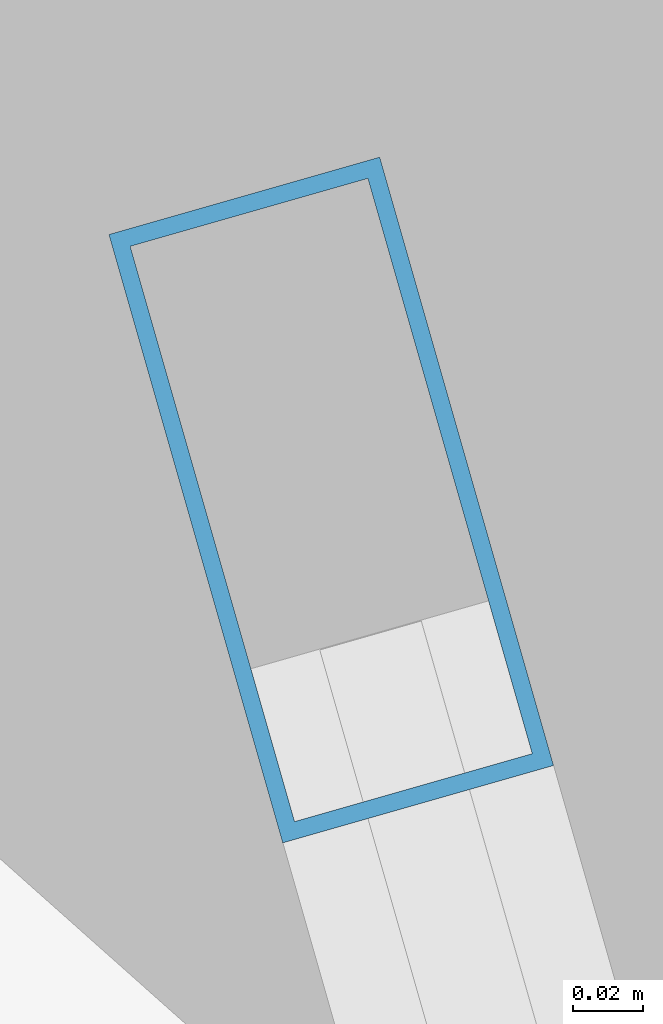
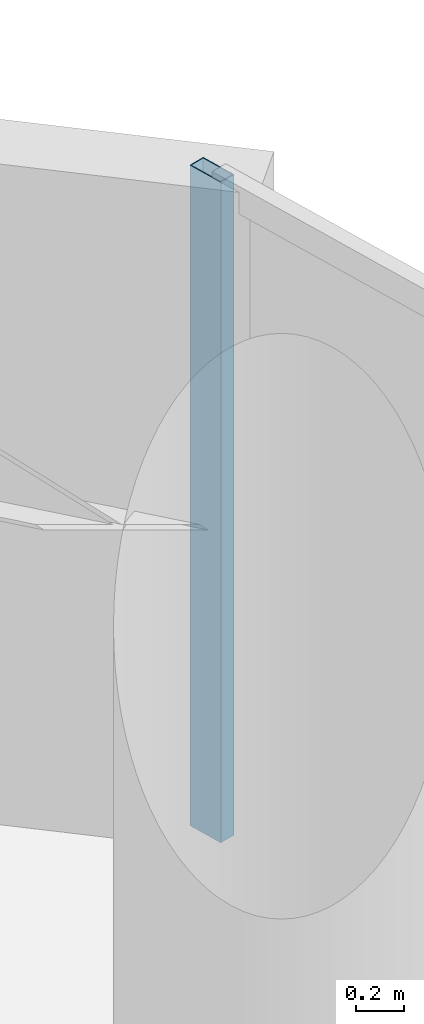
# One storey, part 21 of 31: 1 member, 1 element without a shape of its own.
"""IFC4 building model written with IfcOpenShell, lengths in metres."""

from ifc_helpers import new_model, si_unit, direction, frame, origin, origin_2d, place, context, subcontext, project, spatial, hollow_rectangle, extrude, material, layer, layer_set, material_profile, profile_set, type_object, element, aggregate, save


model = new_model("IFC4")

# Units and contexts
model_context = context("Model", 3, precision=1e-05, world=origin(), true_north=direction((0.0, 1.0)))
body_context = subcontext(model_context, "Body", "Model", "MODEL_VIEW")
ifc_project = project(units=[si_unit("LENGTHUNIT", "METRE"), si_unit("AREAUNIT", "SQUARE_METRE"), si_unit("VOLUMEUNIT", "CUBIC_METRE"), si_unit("PLANEANGLEUNIT", "RADIAN"), si_unit("MASSUNIT", "GRAM", prefix="KILO")], contexts=[model_context])

# Site, building, storey
site_placement = place(None, origin())
site = spatial("IfcSite", under=ifc_project, at=site_placement, CompositionType="ELEMENT")
building_placement = place(site_placement, origin())
building = spatial("IfcBuilding", under=site, at=building_placement, Name="Kazevale Care Tower and Concert Hall", CompositionType="ELEMENT")
storey_placement = place(building_placement, frame((0.0, 0.0, 78.0)))
storey = spatial("IfcBuildingStorey", under=building, at=storey_placement, Name="L20", CompositionType="ELEMENT", Elevation=78.0)

# Curtain wall, member
ifc_material_1 = material(Name="Aluminium 6063-T6 and Low-E Glass", Category="aluminium")
ifc_layer = layer(ifc_material_1, 0.179931640625)
ifc_layer_set = layer_set([ifc_layer], Name="Aluminium 6063-T6 and Low-E Glass")
curtain_wall_type = type_object("IfcCurtainWallType", Name="Waist & Upper Residential Curtain Wall CW-4", PredefinedType="NOTDEFINED", material=ifc_layer_set)
curtain_wall_placement = place(storey_placement, origin())
curtain_wall = element("IfcCurtainWall", 1, at=curtain_wall_placement, inside=storey, type_object=curtain_wall_type, Name="cw:L20:f18", PredefinedType="NOTDEFINED")
ifc_material_2 = material(Name="Aluminium 6063-T6", Category="aluminium")
ifc_material_profile = material_profile(ifc_material_2, hollow_rectangle(XDim=0.080078125, YDim=0.179931640625, WallThickness=0.0048828125, at=origin_2d()), Name="ALU80x180x5")
ifc_profile_set = profile_set([ifc_material_profile], Name="Aluminium 6063-T6")
member_type = type_object("IfcMemberType", Name="CW-4 Mullion ALU80x180x5", PredefinedType="MULLION", material=ifc_profile_set)
member_placement = place(storey_placement, frame((74.7958984375, 49.283447265625, 0.0), z_axis=(0.0, 0.0, 1.0), x_axis=(0.961520742858, 0.274732344388, 0.0)))
member = element("IfcMember", 2, at=member_placement, type_object=member_type, Name="CW-4 mullion 1", PredefinedType="MULLION", context=body_context, shape_type="SweptSolid", body=[
    extrude(hollow_rectangle(XDim=0.080078125, YDim=0.179931640625, WallThickness=0.0048828125, at=origin_2d()), origin(), (0.0, 0.0, 1.0), 3.360107421875),
])
aggregate(curtain_wall, [member])

save(model, "model.ifc")
